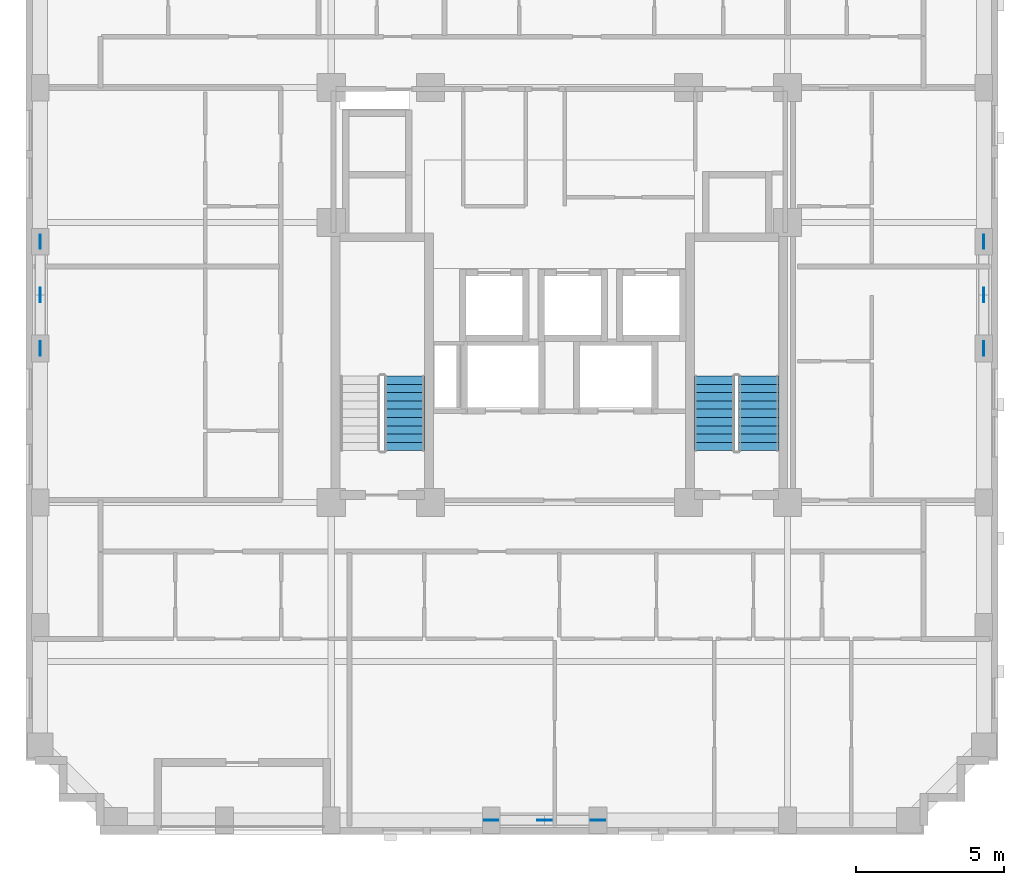
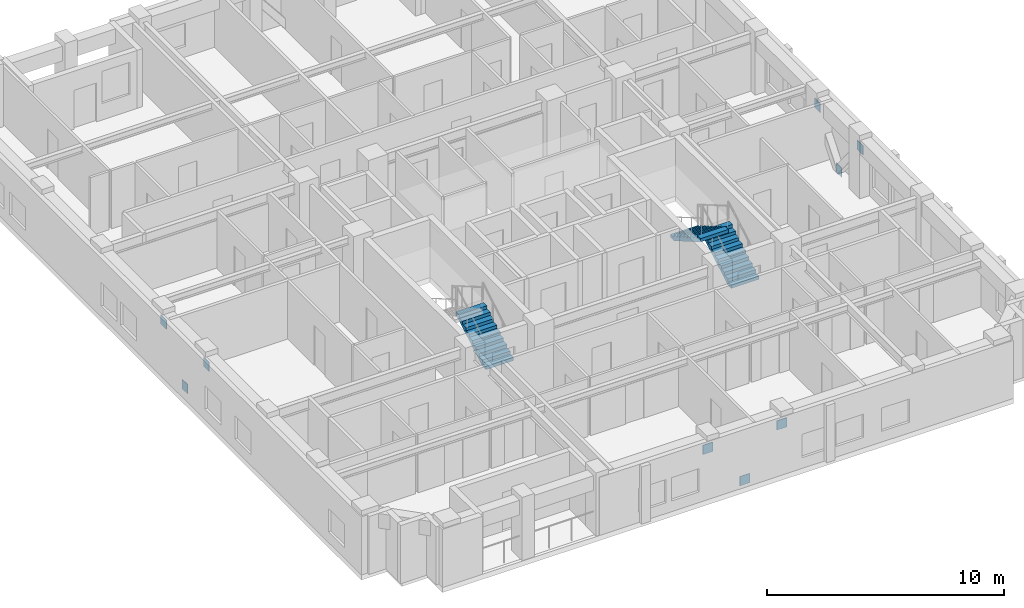
# One storey, part 8 of 11: 9 discrete accessories, 3 stair flights, 2 elements without a shape of their own.
"""IFC4 building model written with IfcOpenShell, lengths in metres."""

from ifc_helpers import new_model, si_unit, derived_unit, direction, frame, origin, origin_2d, place, context, subcontext, project, spatial, polyline, rectangle, outline, extrude, material, layer, layer_set, type_object, element, aggregate, save


model = new_model("IFC4")

# Units and contexts
model_context = context("Model", 3, precision=1e-05, world=origin(), true_north=direction((0.0, 1.0)))
body_context = subcontext(model_context, "Body", "Model", "MODEL_VIEW")
ifc_project = project(units=[si_unit("LENGTHUNIT", "METRE"), si_unit("AREAUNIT", "SQUARE_METRE"), si_unit("VOLUMEUNIT", "CUBIC_METRE"), si_unit("PLANEANGLEUNIT", "RADIAN"), si_unit("MASSUNIT", "GRAM", prefix="KILO"), derived_unit("THERMALTRANSMITTANCEUNIT", [(si_unit("MASSUNIT", "GRAM", prefix="KILO"), 1), (si_unit("TIMEUNIT", "SECOND"), -3), (si_unit("THERMODYNAMICTEMPERATUREUNIT", "KELVIN"), -1)])], contexts=[model_context])

# Site, building, storey
site_placement = place(None, origin())
site = spatial("IfcSite", under=ifc_project, at=site_placement, CompositionType="ELEMENT")
building_placement = place(site_placement, origin())
building = spatial("IfcBuilding", under=site, at=building_placement, Name="Korrvale Station Residences", CompositionType="ELEMENT")
storey_placement = place(building_placement, frame((0.0, 0.0, 163.39990234375)))
storey = spatial("IfcBuildingStorey", under=building, at=storey_placement, Name="L47", CompositionType="ELEMENT", Elevation=163.39990234375)

# Stair, stair flight
ifc_material_1 = material(Name="Concrete C50/60", Category="concrete")
stair_type = type_object("IfcStairType", Name="STR-DL-1350-20R-1625", PredefinedType="HALF_TURN_STAIR", material=ifc_material_1)
stair_1_placement = place(storey_placement, origin())
stair_1 = element("IfcStair", 1, at=stair_1_placement, inside=storey, type_object=stair_type, Name="L47 Exit Stair 1", PredefinedType="HALF_TURN_STAIR")
stair_flight_type = type_object("IfcStairFlightType", Name="FLT-DL-1350-20R-1625", PredefinedType="STRAIGHT", material=ifc_material_1)
stair_flight_1_placement = place(storey_placement, frame((20.27490234375, 16.75, 0.0), z_axis=(0.0, 0.0, 1.0), x_axis=(0.0, 1.0, 0.0)))
stair_flight_1 = element("IfcStairFlight", 2, at=stair_flight_1_placement, type_object=stair_flight_type, Name="ST-1 flight 1", NumberOfRisers=10, NumberOfTreads=9, PredefinedType="STRAIGHT", RiserHeight=0.1625, TreadLength=0.28, context=body_context, shape_type="SweptSolid", body=[
    extrude(outline(polyline([(0.0, 0.0), (0.0, 0.16259765625), (0.280029296875, 0.16259765625), (0.280029296875, 0.324951171875), (0.56005859375, 0.324951171875), (0.56005859375, 0.487548828125), (0.840087890625, 0.487548828125), (0.840087890625, 0.64990234375), (1.1201171875, 0.64990234375), (1.1201171875, 0.8125), (1.39990234375, 0.8125), (1.39990234375, 0.97509765625), (1.679931640625, 0.97509765625), (1.679931640625, 1.137451171875), (1.9599609375, 1.137451171875), (1.9599609375, 1.300048828125), (2.239990234375, 1.300048828125), (2.239990234375, 1.46240234375), (2.52001953125, 1.46240234375), (2.52001953125, 1.625), (2.52001953125, 1.2890625), (0.298583984375, 0.0), (0.0, 0.0)])), frame((0.0, 0.675048828125, 0.0), z_axis=(0.0, -1.0, 0.0), x_axis=(1.0, 0.0, 0.0)), (0.0, 0.0, 1.0), 1.35009765625),
])
aggregate(stair_1, [stair_flight_1])

# Stair, stair flights
stair_2_placement = place(storey_placement, origin())
stair_2 = element("IfcStair", 3, at=stair_2_placement, inside=storey, type_object=stair_type, Name="L47 Exit Stair 2", PredefinedType="HALF_TURN_STAIR")
stair_flight_2_placement = place(storey_placement, frame((32.22509765625, 16.75, 0.0), z_axis=(0.0, 0.0, 1.0), x_axis=(0.0, 1.0, 0.0)))
stair_flight_2 = element("IfcStairFlight", 4, at=stair_flight_2_placement, type_object=stair_flight_type, Name="ST-2 flight 1", NumberOfRisers=10, NumberOfTreads=9, PredefinedType="STRAIGHT", RiserHeight=0.1625, TreadLength=0.28, context=body_context, shape_type="SweptSolid", body=[
    extrude(outline(polyline([(0.0, 0.0), (0.0, 0.16259765625), (0.280029296875, 0.16259765625), (0.280029296875, 0.324951171875), (0.56005859375, 0.324951171875), (0.56005859375, 0.487548828125), (0.840087890625, 0.487548828125), (0.840087890625, 0.64990234375), (1.1201171875, 0.64990234375), (1.1201171875, 0.8125), (1.39990234375, 0.8125), (1.39990234375, 0.97509765625), (1.679931640625, 0.97509765625), (1.679931640625, 1.137451171875), (1.9599609375, 1.137451171875), (1.9599609375, 1.300048828125), (2.239990234375, 1.300048828125), (2.239990234375, 1.46240234375), (2.52001953125, 1.46240234375), (2.52001953125, 1.625), (2.52001953125, 1.2890625), (0.298583984375, 0.0), (0.0, 0.0)])), frame((0.0, 0.675048828125, 0.0), z_axis=(0.0, -1.0, 0.0), x_axis=(1.0, 0.0, 0.0)), (0.0, 0.0, 1.0), 1.35009765625),
])
stair_flight_3_placement = place(storey_placement, frame((30.72509765625, 19.27001953125, 1.625), z_axis=(0.0, 0.0, 1.0), x_axis=(0.0, -1.0, 0.0)))
stair_flight_3 = element("IfcStairFlight", 5, at=stair_flight_3_placement, type_object=stair_flight_type, Name="ST-2 flight 2", NumberOfRisers=10, NumberOfTreads=9, PredefinedType="STRAIGHT", RiserHeight=0.1625, TreadLength=0.28, context=body_context, shape_type="SweptSolid", body=[
    extrude(outline(polyline([(0.0, 0.0), (0.0, 0.16259765625), (0.280029296875, 0.16259765625), (0.280029296875, 0.324951171875), (0.56005859375, 0.324951171875), (0.56005859375, 0.487548828125), (0.840087890625, 0.487548828125), (0.840087890625, 0.64990234375), (1.1201171875, 0.64990234375), (1.1201171875, 0.8125), (1.39990234375, 0.8125), (1.39990234375, 0.97509765625), (1.679931640625, 0.97509765625), (1.679931640625, 1.137451171875), (1.9599609375, 1.137451171875), (1.9599609375, 1.300048828125), (2.239990234375, 1.300048828125), (2.239990234375, 1.46240234375), (2.52001953125, 1.46240234375), (2.52001953125, 1.625), (2.52001953125, 1.2890625), (0.298583984375, 0.0), (0.0, 0.0)])), frame((0.0, 0.675048828125, 0.0), z_axis=(0.0, -1.0, 0.0), x_axis=(1.0, 0.0, 0.0)), (0.0, 0.0, 1.0), 1.35009765625),
])
aggregate(stair_2, [stair_flight_2, stair_flight_3])

# Discrete accessories
ifc_material_2 = material(Name="Steel S355", Category="steel")
ifc_layer = layer(ifc_material_2, 0.02490234375, Name="Steel S355")
ifc_layer_set = layer_set([ifc_layer], Name="Steel S355")
discrete_accessory_type = type_object("IfcDiscreteAccessoryType", Name="ACC-GUSSET-25", PredefinedType="BRACKET", material=ifc_layer_set)
for number, where, z_axis, x_axis, name in (
    (6, (25.0, 4.280029296875, -0.219970703125), (0.0, 0.0, 1.0), (1.0, 0.0, 0.0), "L47 S Brace End Gusset Connection M"),
    (7, (23.199951171875, 4.280029296875, 2.02001953125), (0.0, 0.0, 1.0), (1.0, 0.0, 0.0), "L47 S Brace End Gusset Connection A"),
    (8, (26.800048828125, 4.280029296875, 2.02001953125), (0.0, 0.0, 1.0), (1.0, 0.0, 0.0), "L47 S Brace End Gusset Connection B"),
    (9, (7.97998046875, 22.0, -0.219970703125), (0.0, 0.0, 1.0), (0.0, 1.0, 0.0), "L47 W Brace End Gusset Connection M"),
    (10, (7.97998046875, 20.199951171875, 2.02001953125), (0.0, 0.0, 1.0), (0.0, 1.0, 0.0), "L47 W Brace End Gusset Connection A"),
    (11, (7.97998046875, 23.800048828125, 2.02001953125), (0.0, 0.0, 1.0), (0.0, 1.0, 0.0), "L47 W Brace End Gusset Connection B"),
    (12, (39.820068359375, 22.0, -0.219970703125), (0.0, 0.0, 1.0), (0.0, 1.0, 0.0), "L47 E Brace End Gusset Connection M"),
    (13, (39.820068359375, 20.199951171875, 2.02001953125), (0.0, 0.0, 1.0), (0.0, 1.0, 0.0), "L47 E Brace End Gusset Connection A"),
    (14, (39.820068359375, 23.800048828125, 2.02001953125), (0.0, 0.0, 1.0), (0.0, 1.0, 0.0), "L47 E Brace End Gusset Connection B"),
):
    element("IfcDiscreteAccessory", number, at=place(storey_placement, frame(where, z_axis=z_axis, x_axis=x_axis)), inside=storey, type_object=discrete_accessory_type, Name=name, PredefinedType="BRACKET", context=body_context, shape_type="SweptSolid", body=[
        extrude(rectangle(XDim=0.47998046875, YDim=0.02490234375, at=origin_2d()), origin(), (0.0, 0.0, 1.0), 0.47998046875),
    ])

save(model, "model.ifc")
